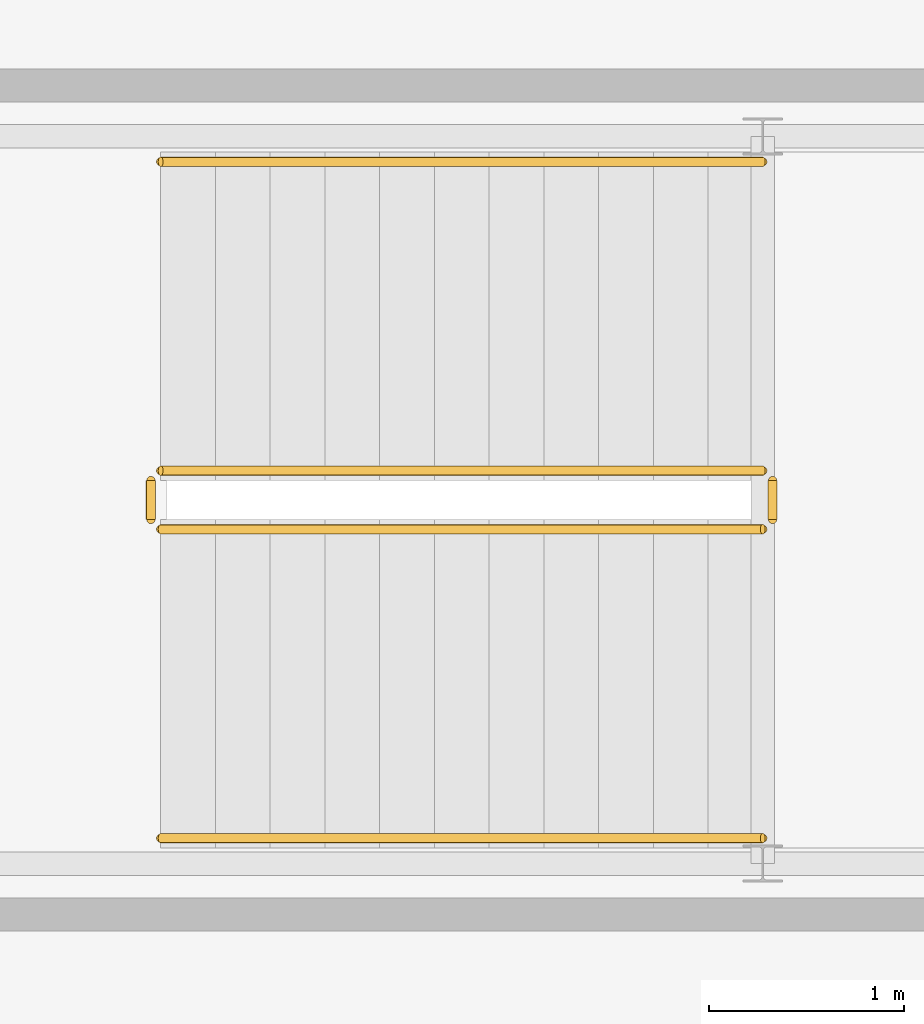
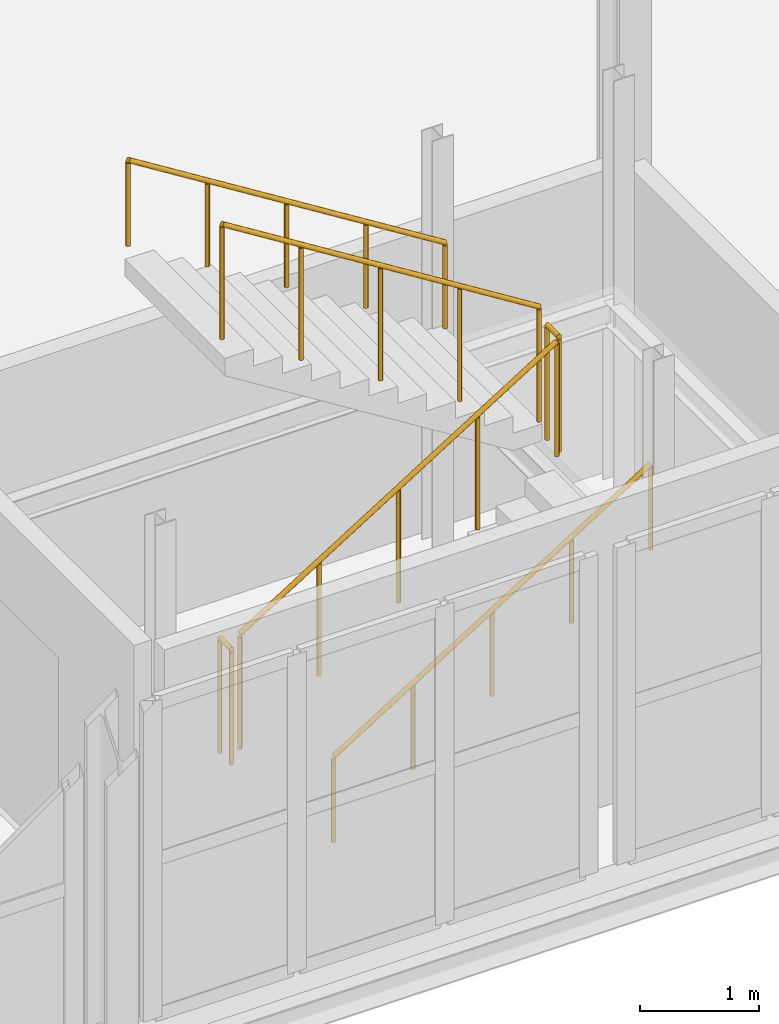
# One storey, part 75 of 78: 6 railings.
"""IFC4 building model written with IfcOpenShell, lengths in metres."""

from ifc_helpers import new_model, si_unit, direction, frame, origin, origin_2d, place, context, subcontext, project, spatial, circle, extrude, material, type_object, element, save


model = new_model("IFC4")

# Units and contexts
model_context = context("Model", 3, precision=1e-05, world=origin(), true_north=direction((0.0, 1.0)))
body_context = subcontext(model_context, "Body", "Model", "MODEL_VIEW")
ifc_project = project(units=[si_unit("LENGTHUNIT", "METRE"), si_unit("AREAUNIT", "SQUARE_METRE"), si_unit("VOLUMEUNIT", "CUBIC_METRE"), si_unit("PLANEANGLEUNIT", "RADIAN"), si_unit("MASSUNIT", "GRAM", prefix="KILO")], contexts=[model_context])

# Site, building, storey
site_placement = place(None, origin())
site = spatial("IfcSite", under=ifc_project, at=site_placement, CompositionType="ELEMENT")
building_placement = place(site_placement, origin())
building = spatial("IfcBuilding", under=site, at=building_placement, Name="Alderhovde Museum", CompositionType="ELEMENT")
storey_placement = place(building_placement, frame((0.0, 0.0, 4.5)))
storey = spatial("IfcBuildingStorey", under=building, at=storey_placement, Name="L01", CompositionType="ELEMENT", Elevation=4.5)

# Railings
ifc_material_1 = material(Name="Painted Steel S355 Guardrail", Category="steel")
railing_type_1 = type_object("IfcRailingType", Name="RL-GUARD-1200", PredefinedType="GUARDRAIL", material=ifc_material_1)
railing_1_placement = place(storey_placement, frame((127.679931640625, 74.830078125, 0.175048828125)))
element("IfcRailing", 1, at=railing_1_placement, inside=storey, type_object=railing_type_1, Name="L01 ST4 stair guard 1", PredefinedType="GUARDRAIL", context=body_context, shape_type="SweptSolid", body=[
    extrude(circle(Radius=0.02392578125, at=origin_2d()), frame((0.0, 0.0, 1.17578125), z_axis=(0.847998304005, 0.0, 0.529998940003), x_axis=(0.0, 1.0, 0.0)), (0.0, 0.0, 1.0), 3.632080078125),
    extrude(circle(Radius=0.02099609375, at=origin_2d()), origin(), (0.0, 0.0, 1.0), 1.15185546875),
    extrude(circle(Radius=0.02099609375, at=origin_2d()), frame((0.77001953125, 0.0, 0.481201171875)), (0.0, 0.0, 1.0), 1.15185546875),
    extrude(circle(Radius=0.02099609375, at=origin_2d()), frame((1.5400390625, 0.0, 0.96240234375)), (0.0, 0.0, 1.0), 1.15185546875),
    extrude(circle(Radius=0.02099609375, at=origin_2d()), frame((2.31005859375, 0.0, 1.44384765625)), (0.0, 0.0, 1.0), 1.15185546875),
    extrude(circle(Radius=0.02099609375, at=origin_2d()), frame((3.080078125, 0.0, 1.925048828125)), (0.0, 0.0, 1.0), 1.15185546875),
])
railing_2_placement = place(storey_placement, frame((130.81005859375, 74.8798828125, 2.10009765625)))
element("IfcRailing", 2, at=railing_2_placement, inside=storey, type_object=railing_type_1, Name="L01 ST4 stair guard 2", PredefinedType="GUARDRAIL", context=body_context, shape_type="SweptSolid", body=[
    extrude(circle(Radius=0.02392578125, at=origin_2d()), frame((0.0, 0.0, 1.17578125), z_axis=(0.0, 1.0, 0.0), x_axis=(-1.0, 0.0, 0.0)), (0.0, 0.0, 1.0), 0.2001953125),
    extrude(circle(Radius=0.02099609375, at=origin_2d()), origin(), (0.0, 0.0, 1.0), 1.15185546875),
    extrude(circle(Radius=0.02099609375, at=origin_2d()), frame((0.0, 0.2001953125, 0.0)), (0.0, 0.0, 1.0), 1.15185546875),
])
railing_3_placement = place(storey_placement, frame((130.760009765625, 75.1298828125, 2.27490234375)))
element("IfcRailing", 3, at=railing_3_placement, inside=storey, type_object=railing_type_1, Name="L01 ST4 stair guard 3", PredefinedType="GUARDRAIL", context=body_context, shape_type="SweptSolid", body=[
    extrude(circle(Radius=0.02392578125, at=origin_2d()), frame((0.0, 0.0, 1.17578125), z_axis=(-0.847998304005, 0.0, 0.529998940003), x_axis=(0.0, -1.0, 0.0)), (0.0, 0.0, 1.0), 3.632080078125),
    extrude(circle(Radius=0.02099609375, at=origin_2d()), origin(), (0.0, 0.0, 1.0), 1.15185546875),
    extrude(circle(Radius=0.02099609375, at=origin_2d()), frame((-0.77001953125, 0.0, 0.481201171875)), (0.0, 0.0, 1.0), 1.15185546875),
    extrude(circle(Radius=0.02099609375, at=origin_2d()), frame((-1.5400390625, 0.0, 0.96240234375)), (0.0, 0.0, 1.0), 1.15185546875),
    extrude(circle(Radius=0.02099609375, at=origin_2d()), frame((-2.31005859375, 0.0, 1.44384765625)), (0.0, 0.0, 1.0), 1.15185546875),
    extrude(circle(Radius=0.02099609375, at=origin_2d()), frame((-3.080078125, 0.0, 1.925048828125)), (0.0, 0.0, 1.0), 1.15185546875),
])
railing_4_placement = place(storey_placement, frame((127.6298828125, 74.8798828125, 0.0)))
element("IfcRailing", 4, at=railing_4_placement, inside=storey, type_object=railing_type_1, Name="L01 ST4 stair guard 4", PredefinedType="GUARDRAIL", context=body_context, shape_type="SweptSolid", body=[
    extrude(circle(Radius=0.02392578125, at=origin_2d()), frame((0.0, 0.0, 1.17578125), z_axis=(0.0, 1.0, 0.0), x_axis=(-1.0, 0.0, 0.0)), (0.0, 0.0, 1.0), 0.2001953125),
    extrude(circle(Radius=0.02099609375, at=origin_2d()), origin(), (0.0, 0.0, 1.0), 1.15185546875),
    extrude(circle(Radius=0.02099609375, at=origin_2d()), frame((0.0, 0.2001953125, 0.0)), (0.0, 0.0, 1.0), 1.15185546875),
])
ifc_material_2 = material(Name="Brushed Stainless Steel Handrail", Category="steel")
railing_type_2 = type_object("IfcRailingType", Name="RL-HANDRAIL-900", PredefinedType="HANDRAIL", material=ifc_material_2)
railing_5_placement = place(storey_placement, frame((127.679931640625, 73.25, 0.175048828125)))
element("IfcRailing", 5, at=railing_5_placement, inside=storey, type_object=railing_type_2, Name="L01 ST4 stair handrail 1", PredefinedType="HANDRAIL", context=body_context, shape_type="SweptSolid", body=[
    extrude(circle(Radius=0.02392578125, at=origin_2d()), frame((0.0, 0.0, 0.8759765625), z_axis=(0.847998304005, 0.0, 0.529998940003), x_axis=(0.0, 1.0, 0.0)), (0.0, 0.0, 1.0), 3.632080078125),
    extrude(circle(Radius=0.02099609375, at=origin_2d()), origin(), (0.0, 0.0, 1.0), 0.851806640625),
    extrude(circle(Radius=0.02099609375, at=origin_2d()), frame((0.77001953125, 0.0, 0.481201171875)), (0.0, 0.0, 1.0), 0.851806640625),
    extrude(circle(Radius=0.02099609375, at=origin_2d()), frame((1.5400390625, 0.0, 0.96240234375)), (0.0, 0.0, 1.0), 0.851806640625),
    extrude(circle(Radius=0.02099609375, at=origin_2d()), frame((2.31005859375, 0.0, 1.44384765625)), (0.0, 0.0, 1.0), 0.851806640625),
    extrude(circle(Radius=0.02099609375, at=origin_2d()), frame((3.080078125, 0.0, 1.925048828125)), (0.0, 0.0, 1.0), 0.851806640625),
])
railing_6_placement = place(storey_placement, frame((130.760009765625, 76.7099609375, 2.27490234375)))
element("IfcRailing", 6, at=railing_6_placement, inside=storey, type_object=railing_type_2, Name="L01 ST4 stair handrail 2", PredefinedType="HANDRAIL", context=body_context, shape_type="SweptSolid", body=[
    extrude(circle(Radius=0.02392578125, at=origin_2d()), frame((0.0, 0.0, 0.8759765625), z_axis=(-0.847998304005, 0.0, 0.529998940003), x_axis=(0.0, -1.0, 0.0)), (0.0, 0.0, 1.0), 3.632080078125),
    extrude(circle(Radius=0.02099609375, at=origin_2d()), origin(), (0.0, 0.0, 1.0), 0.851806640625),
    extrude(circle(Radius=0.02099609375, at=origin_2d()), frame((-0.77001953125, 0.0, 0.481201171875)), (0.0, 0.0, 1.0), 0.851806640625),
    extrude(circle(Radius=0.02099609375, at=origin_2d()), frame((-1.5400390625, 0.0, 0.96240234375)), (0.0, 0.0, 1.0), 0.851806640625),
    extrude(circle(Radius=0.02099609375, at=origin_2d()), frame((-2.31005859375, 0.0, 1.44384765625)), (0.0, 0.0, 1.0), 0.851806640625),
    extrude(circle(Radius=0.02099609375, at=origin_2d()), frame((-3.080078125, 0.0, 1.925048828125)), (0.0, 0.0, 1.0), 0.851806640625),
])

save(model, "model.ifc")
